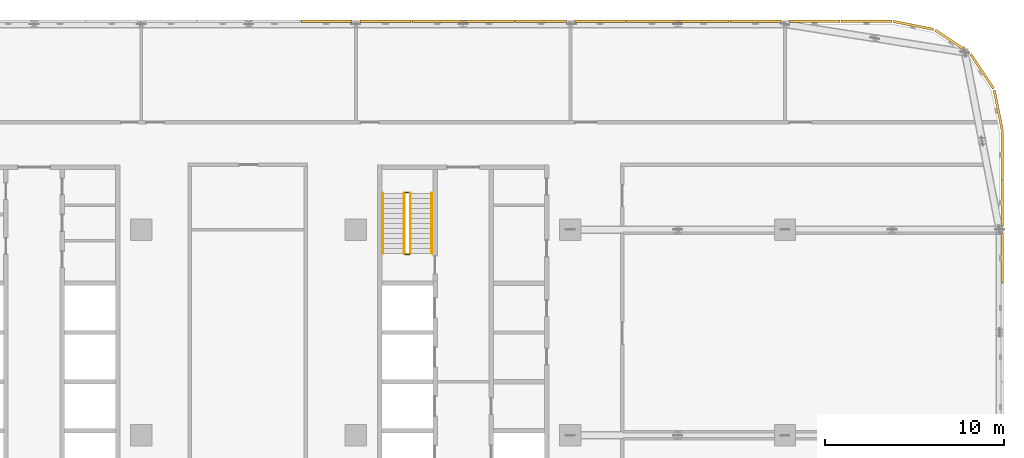
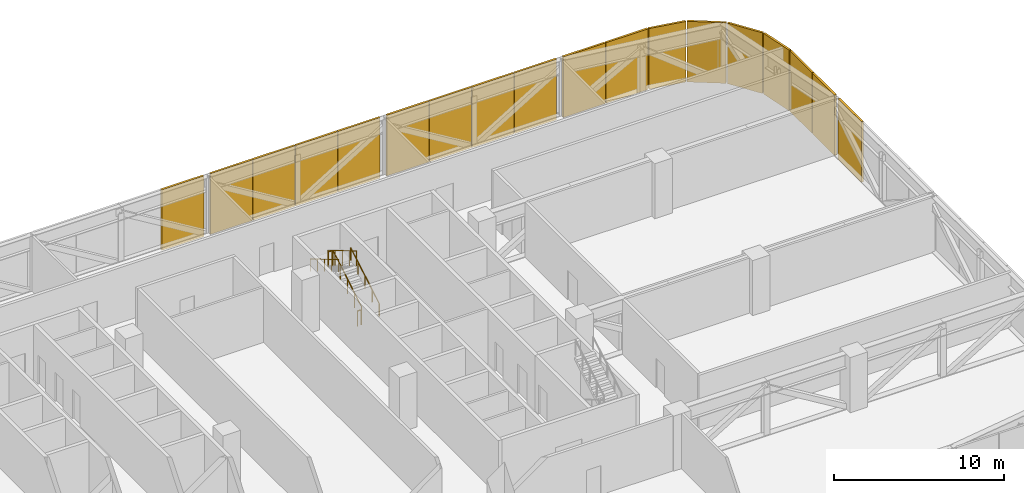
# One storey, part 26 of 26: 18 coverings, 6 railings.
"""IFC4 building model written with IfcOpenShell, lengths in metres."""

from ifc_helpers import new_model, si_unit, direction, frame, origin, origin_2d, place, context, subcontext, project, spatial, rectangle, circle, extrude, material, type_object, element, save


model = new_model("IFC4")

# Units and contexts
model_context = context("Model", 3, precision=1e-05, world=origin(), true_north=direction((0.0, 1.0)))
body_context = subcontext(model_context, "Body", "Model", "MODEL_VIEW")
ifc_project = project(units=[si_unit("LENGTHUNIT", "METRE"), si_unit("AREAUNIT", "SQUARE_METRE"), si_unit("VOLUMEUNIT", "CUBIC_METRE"), si_unit("PLANEANGLEUNIT", "RADIAN"), si_unit("MASSUNIT", "GRAM", prefix="KILO")], contexts=[model_context])

# Site, building, storey
site_placement = place(None, origin())
site = spatial("IfcSite", under=ifc_project, at=site_placement, CompositionType="ELEMENT")
building_placement = place(site_placement, origin())
building = spatial("IfcBuilding", under=site, at=building_placement, Name="Mahtab Terrace Research Tower", CompositionType="ELEMENT")
storey_placement = place(building_placement, frame((0.0, 0.0, 189.60009765625)))
storey = spatial("IfcBuildingStorey", under=building, at=storey_placement, Name="L45", CompositionType="ELEMENT", Elevation=189.60009765625)

# Coverings
ifc_material_1 = material(Name="Natural anodised aluminium", Category="aluminium")
covering_type = type_object("IfcCoveringType", Name="Plant storey louvre bay", PredefinedType="CLADDING", material=ifc_material_1)
covering_placement = place(storey_placement, frame((54.159912109375, 9.91259765625, -0.400390625), z_axis=(0.0, 0.0, 1.0), x_axis=(0.0, 1.0, 0.0)))
element("IfcCovering", 1, at=covering_placement, inside=storey, type_object=covering_type, Name="Louvre bay L45 16", PredefinedType="CLADDING", context=body_context, shape_type="SweptSolid", body=[
    extrude(rectangle(XDim=2.735107421875, YDim=0.139892578125, at=origin_2d()), origin(), (0.0, 0.0, 1.0), 4.360107421875),
])
for number, where, z_axis, x_axis, name in (
    (2, (54.159912109375, 13.02490234375, -0.400390625), (0.0, 0.0, 1.0), (0.0, 1.0, 0.0), "Louvre bay L45 17"),
    (3, (54.159912109375, 15.675048828125, -0.400390625), (0.0, 0.0, 1.0), (0.0, 1.0, 0.0), "Louvre bay L45 18"),
):
    element("IfcCovering", number, at=place(storey_placement, frame(where, z_axis=z_axis, x_axis=x_axis)), inside=storey, type_object=covering_type, Name=name, PredefinedType="CLADDING", context=body_context, shape_type="SweptSolid", body=[
        extrude(rectangle(XDim=2.610107421875, YDim=0.139892578125, at=origin_2d()), origin(), (0.0, 0.0, 1.0), 4.360107421875),
    ])
for number, where, z_axis, x_axis, name in (
    (4, (53.928466796875, 18.17919921875, -0.400390625), (0.0, 0.0, 1.0), (-0.195212442692, 0.980760981187, 0.0), "Louvre bay L45 19"),
    (5, (53.026123046875, 20.3583984375, -0.400390625), (0.0, 0.0, 1.0), (-0.555291490808, 0.831655794326, 0.0), "Louvre bay L45 20"),
    (6, (51.3583984375, 22.026123046875, -0.400390625), (0.0, 0.0, 1.0), (-0.831655794326, 0.555291490808, 0.0), "Louvre bay L45 21"),
    (7, (49.17919921875, 22.928466796875, -0.400390625), (0.0, 0.0, 1.0), (-0.980760981187, 0.195212442692, 0.0), "Louvre bay L45 22"),
):
    element("IfcCovering", number, at=place(storey_placement, frame(where, z_axis=z_axis, x_axis=x_axis)), inside=storey, type_object=covering_type, Name=name, PredefinedType="CLADDING", context=body_context, shape_type="SweptSolid", body=[
        extrude(rectangle(XDim=2.301025390625, YDim=0.139892578125, at=origin_2d()), origin(), (0.0, 0.0, 1.0), 4.360107421875),
    ])
for number, where, z_axis, x_axis, name in (
    (8, (46.552001953125, 23.159912109375, -0.400390625), (0.0, 0.0, 1.0), (-1.0, 0.0, 0.0), "Louvre bay L45 23"),
    (9, (43.656005859375, 23.159912109375, -0.400390625), (0.0, 0.0, 1.0), (-1.0, 0.0, 0.0), "Louvre bay L45 24"),
    (10, (40.343994140625, 23.159912109375, -0.400390625), (0.0, 0.0, 1.0), (-1.0, 0.0, 0.0), "Louvre bay L45 25"),
    (11, (37.447998046875, 23.159912109375, -0.400390625), (0.0, 0.0, 1.0), (-1.0, 0.0, 0.0), "Louvre bay L45 26"),
    (12, (34.552001953125, 23.159912109375, -0.400390625), (0.0, 0.0, 1.0), (-1.0, 0.0, 0.0), "Louvre bay L45 27"),
    (13, (31.656005859375, 23.159912109375, -0.400390625), (0.0, 0.0, 1.0), (-1.0, 0.0, 0.0), "Louvre bay L45 28"),
    (14, (28.343994140625, 23.159912109375, -0.400390625), (0.0, 0.0, 1.0), (-1.0, 0.0, 0.0), "Louvre bay L45 29"),
    (15, (25.447998046875, 23.159912109375, -0.400390625), (0.0, 0.0, 1.0), (-1.0, 0.0, 0.0), "Louvre bay L45 30"),
    (16, (22.552001953125, 23.159912109375, -0.400390625), (0.0, 0.0, 1.0), (-1.0, 0.0, 0.0), "Louvre bay L45 31"),
    (17, (19.656005859375, 23.159912109375, -0.400390625), (0.0, 0.0, 1.0), (-1.0, 0.0, 0.0), "Louvre bay L45 32"),
    (18, (16.343994140625, 23.159912109375, -0.400390625), (0.0, 0.0, 1.0), (-1.0, 0.0, 0.0), "Louvre bay L45 33"),
):
    element("IfcCovering", number, at=place(storey_placement, frame(where, z_axis=z_axis, x_axis=x_axis)), inside=storey, type_object=covering_type, Name=name, PredefinedType="CLADDING", context=body_context, shape_type="SweptSolid", body=[
        extrude(rectangle(XDim=2.85595703125, YDim=0.139892578125, at=origin_2d()), origin(), (0.0, 0.0, 1.0), 4.360107421875),
    ])

# Railings
ifc_material_2 = material(Name="Stainless steel AISI 304", Category="steel")
railing_type_1 = type_object("IfcRailingType", Name="Stair guard 1100", PredefinedType="GUARDRAIL", material=ifc_material_2)
railing_1_placement = place(storey_placement, frame((21.050048828125, 10.175048828125, 0.165283203125)))
element("IfcRailing", 19, at=railing_1_placement, inside=storey, type_object=railing_type_1, Name="L45 ST3 stair guard 1", PredefinedType="GUARDRAIL", context=body_context, shape_type="SweptSolid", body=[
    extrude(circle(Radius=0.02392578125, at=origin_2d()), frame((0.0, 0.0, 1.076171875), z_axis=(0.0, 0.861011212953, 0.508585972249), x_axis=(-1.0, 0.0, 0.0)), (0.0, 0.0, 1.0), 3.90234375),
    extrude(circle(Radius=0.02099609375, at=origin_2d()), origin(), (0.0, 0.0, 1.0), 1.052001953125),
    extrude(circle(Radius=0.02099609375, at=origin_2d()), frame((0.0, 0.83984375, 0.49609375)), (0.0, 0.0, 1.0), 1.052001953125),
    extrude(circle(Radius=0.02099609375, at=origin_2d()), frame((0.0, 1.679931640625, 0.9921875)), (0.0, 0.0, 1.0), 1.052001953125),
    extrude(circle(Radius=0.02099609375, at=origin_2d()), frame((0.0, 2.52001953125, 1.488525390625)), (0.0, 0.0, 1.0), 1.052001953125),
    extrude(circle(Radius=0.02099609375, at=origin_2d()), frame((0.0, 3.35986328125, 1.984619140625)), (0.0, 0.0, 1.0), 1.052001953125),
])
railing_2_placement = place(storey_placement, frame((21.0, 13.5849609375, 2.14990234375)))
element("IfcRailing", 20, at=railing_2_placement, inside=storey, type_object=railing_type_1, Name="L45 ST3 stair guard 2", PredefinedType="GUARDRAIL", context=body_context, shape_type="SweptSolid", body=[
    extrude(circle(Radius=0.02392578125, at=origin_2d()), frame((0.0, 0.0, 1.076171875), z_axis=(-1.0, 0.0, 0.0), x_axis=(0.0, -1.0, 0.0)), (0.0, 0.0, 1.0), 0.25),
    extrude(circle(Radius=0.02099609375, at=origin_2d()), origin(), (0.0, 0.0, 1.0), 1.052001953125),
    extrude(circle(Radius=0.02099609375, at=origin_2d()), frame((-0.25, 0.0, 0.0)), (0.0, 0.0, 1.0), 1.052001953125),
])
railing_3_placement = place(storey_placement, frame((20.699951171875, 13.534912109375, 2.315185546875)))
element("IfcRailing", 21, at=railing_3_placement, inside=storey, type_object=railing_type_1, Name="L45 ST3 stair guard 3", PredefinedType="GUARDRAIL", context=body_context, shape_type="SweptSolid", body=[
    extrude(circle(Radius=0.02392578125, at=origin_2d()), frame((0.0, 0.0, 1.076171875), z_axis=(0.0, -0.861011212953, 0.508585972249), x_axis=(1.0, 0.0, 0.0)), (0.0, 0.0, 1.0), 3.90234375),
    extrude(circle(Radius=0.02099609375, at=origin_2d()), origin(), (0.0, 0.0, 1.0), 1.052001953125),
    extrude(circle(Radius=0.02099609375, at=origin_2d()), frame((0.0, -0.83984375, 0.49609375)), (0.0, 0.0, 1.0), 1.052001953125),
    extrude(circle(Radius=0.02099609375, at=origin_2d()), frame((0.0, -1.679931640625, 0.9921875)), (0.0, 0.0, 1.0), 1.052001953125),
    extrude(circle(Radius=0.02099609375, at=origin_2d()), frame((0.0, -2.52001953125, 1.488525390625)), (0.0, 0.0, 1.0), 1.052001953125),
    extrude(circle(Radius=0.02099609375, at=origin_2d()), frame((0.0, -3.35986328125, 1.984619140625)), (0.0, 0.0, 1.0), 1.052001953125),
])
railing_4_placement = place(storey_placement, frame((21.0, 10.125, 0.0)))
element("IfcRailing", 22, at=railing_4_placement, inside=storey, type_object=railing_type_1, Name="L45 ST3 stair guard 4", PredefinedType="GUARDRAIL", context=body_context, shape_type="SweptSolid", body=[
    extrude(circle(Radius=0.02392578125, at=origin_2d()), frame((0.0, 0.0, 1.076171875), z_axis=(-1.0, 0.0, 0.0), x_axis=(0.0, -1.0, 0.0)), (0.0, 0.0, 1.0), 0.25),
    extrude(circle(Radius=0.02099609375, at=origin_2d()), origin(), (0.0, 0.0, 1.0), 1.052001953125),
    extrude(circle(Radius=0.02099609375, at=origin_2d()), frame((-0.25, 0.0, 0.0)), (0.0, 0.0, 1.0), 1.052001953125),
])
railing_type_2 = type_object("IfcRailingType", Name="Stair handrail 900", PredefinedType="HANDRAIL", material=ifc_material_2)
railing_5_placement = place(storey_placement, frame((22.25, 10.175048828125, 0.165283203125)))
element("IfcRailing", 23, at=railing_5_placement, inside=storey, type_object=railing_type_2, Name="L45 ST3 stair handrail 1", PredefinedType="HANDRAIL", context=body_context, shape_type="SweptSolid", body=[
    extrude(circle(Radius=0.02392578125, at=origin_2d()), frame((0.0, 0.0, 0.8759765625), z_axis=(0.0, 0.861011212953, 0.508585972249), x_axis=(-1.0, 0.0, 0.0)), (0.0, 0.0, 1.0), 3.90234375),
    extrude(circle(Radius=0.02099609375, at=origin_2d()), origin(), (0.0, 0.0, 1.0), 0.851806640625),
    extrude(circle(Radius=0.02099609375, at=origin_2d()), frame((0.0, 0.83984375, 0.49609375)), (0.0, 0.0, 1.0), 0.851806640625),
    extrude(circle(Radius=0.02099609375, at=origin_2d()), frame((0.0, 1.679931640625, 0.9921875)), (0.0, 0.0, 1.0), 0.851806640625),
    extrude(circle(Radius=0.02099609375, at=origin_2d()), frame((0.0, 2.52001953125, 1.488525390625)), (0.0, 0.0, 1.0), 0.851806640625),
    extrude(circle(Radius=0.02099609375, at=origin_2d()), frame((0.0, 3.35986328125, 1.984619140625)), (0.0, 0.0, 1.0), 0.851806640625),
])
railing_6_placement = place(storey_placement, frame((19.5, 13.534912109375, 2.315185546875)))
element("IfcRailing", 24, at=railing_6_placement, inside=storey, type_object=railing_type_2, Name="L45 ST3 stair handrail 2", PredefinedType="HANDRAIL", context=body_context, shape_type="SweptSolid", body=[
    extrude(circle(Radius=0.02392578125, at=origin_2d()), frame((0.0, 0.0, 0.8759765625), z_axis=(0.0, -0.861011212953, 0.508585972249), x_axis=(1.0, 0.0, 0.0)), (0.0, 0.0, 1.0), 3.90234375),
    extrude(circle(Radius=0.02099609375, at=origin_2d()), origin(), (0.0, 0.0, 1.0), 0.851806640625),
    extrude(circle(Radius=0.02099609375, at=origin_2d()), frame((0.0, -0.83984375, 0.49609375)), (0.0, 0.0, 1.0), 0.851806640625),
    extrude(circle(Radius=0.02099609375, at=origin_2d()), frame((0.0, -1.679931640625, 0.9921875)), (0.0, 0.0, 1.0), 0.851806640625),
    extrude(circle(Radius=0.02099609375, at=origin_2d()), frame((0.0, -2.52001953125, 1.488525390625)), (0.0, 0.0, 1.0), 0.851806640625),
    extrude(circle(Radius=0.02099609375, at=origin_2d()), frame((0.0, -3.35986328125, 1.984619140625)), (0.0, 0.0, 1.0), 0.851806640625),
])

save(model, "model.ifc")
